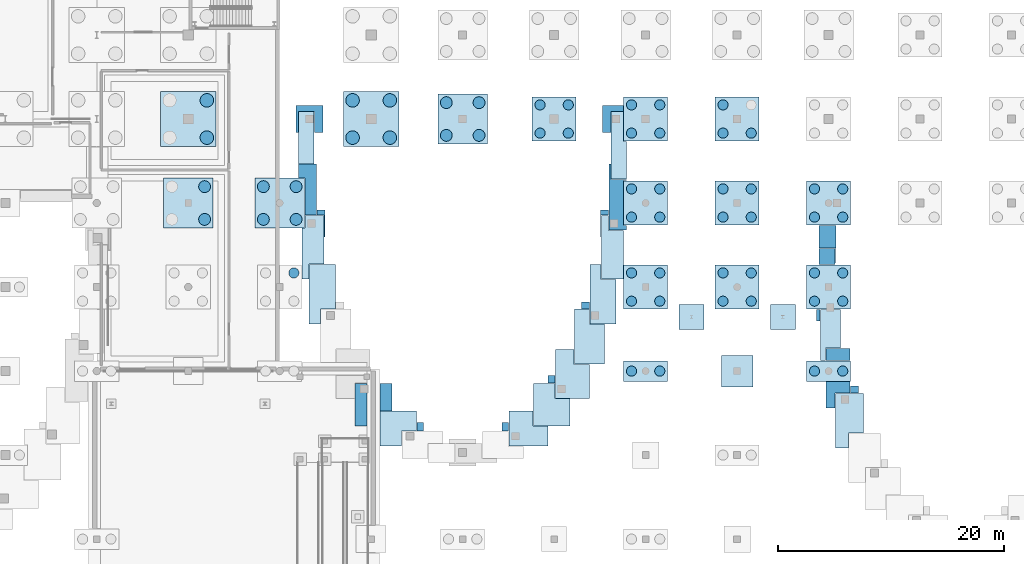
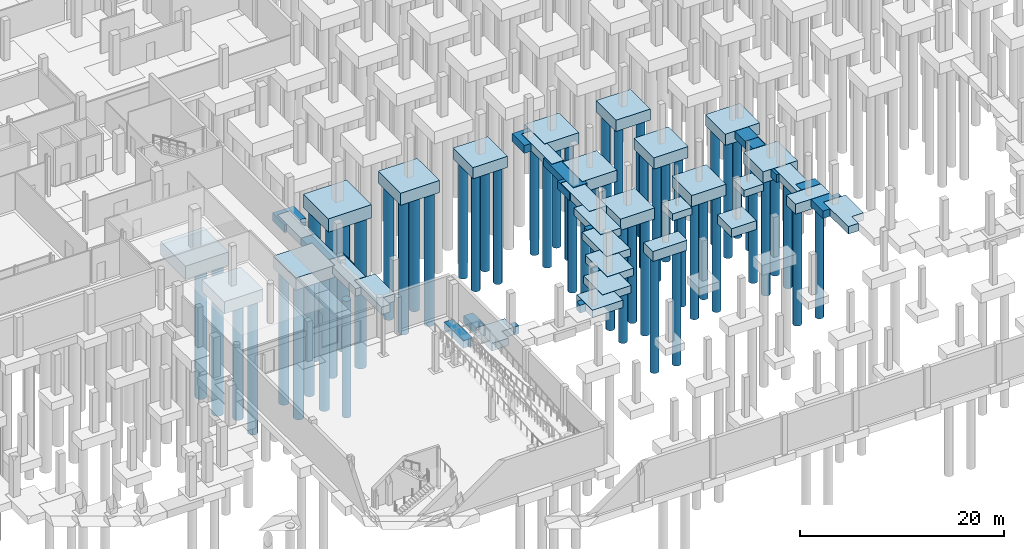
# One storey, part 4 of 37: 56 piles, 50 footings.
"""IFC4 building model written with IfcOpenShell, lengths in metres."""

from ifc_helpers import new_model, si_unit, direction, frame, origin, origin_2d, place, context, subcontext, project, spatial, polyline, rectangle, circle, outline, extrude, material, material_profile, profile_set, type_object, element, save


model = new_model("IFC4")

# Units and contexts
model_context = context("Model", 3, precision=1e-05, world=origin(), true_north=direction((0.0, 1.0)))
body_context = subcontext(model_context, "Body", "Model", "MODEL_VIEW")
ifc_project = project(units=[si_unit("LENGTHUNIT", "METRE"), si_unit("AREAUNIT", "SQUARE_METRE"), si_unit("VOLUMEUNIT", "CUBIC_METRE"), si_unit("PLANEANGLEUNIT", "RADIAN"), si_unit("MASSUNIT", "GRAM", prefix="KILO")], contexts=[model_context])

# Site, building, storey
site_placement = place(None, origin())
site = spatial("IfcSite", under=ifc_project, at=site_placement, CompositionType="ELEMENT")
building_placement = place(site_placement, origin())
building = spatial("IfcBuilding", under=site, at=building_placement, Name="Kaelora Sail Theatre", CompositionType="ELEMENT")
storey_placement = place(building_placement, frame((0.0, 0.0, -4.800048828125)))
storey = spatial("IfcBuildingStorey", under=building, at=storey_placement, Name="B1", CompositionType="ELEMENT", Elevation=-4.800048828125)

# Footings
ifc_material_1 = material(Name="Concrete C40/50", Category="concrete")
footing_type_1 = type_object("IfcFootingType", Name="STR-FTG-PC-2P", PredefinedType="PILE_CAP", material=ifc_material_1)
for number, where, z_axis, x_axis, name in (
    (1, (106.800048828125, 38.699951171875, -1.19970703125), (0.0, 0.0, 1.0), (1.0, 0.0, 0.0), "Foundation 14/F"),
    (2, (123.0, 38.699951171875, -1.19970703125), (0.0, 0.0, 1.0), (1.0, 0.0, 0.0), "Foundation 16/F"),
):
    element("IfcFooting", number, at=place(storey_placement, frame(where, z_axis=z_axis, x_axis=x_axis)), inside=storey, type_object=footing_type_1, Name=name, PredefinedType="PILE_CAP", context=body_context, shape_type="SweptSolid", body=[
        extrude(rectangle(XDim=3.89990234375, YDim=1.800048828125, at=origin_2d()), origin(), (0.0, 0.0, 1.0), 1.199951171875),
    ])
ifc_material_2 = material(Name="Concrete C40/50", Category="concrete")
footing_type_2 = type_object("IfcFootingType", Name="STR-FTG-PC-4A", PredefinedType="PILE_CAP", material=ifc_material_2)
for number, where, z_axis, x_axis, name in (
    (3, (98.699951171875, 61.02001953125, -1.35009765625), (0.0, 0.0, 1.0), (1.0, 0.0, 0.0), "Foundation 13/I"),
    (4, (106.800048828125, 46.139892578125, -1.35009765625), (0.0, 0.0, 1.0), (1.0, 0.0, 0.0), "Foundation 14/G"),
    (5, (106.800048828125, 53.580078125, -1.35009765625), (0.0, 0.0, 1.0), (1.0, 0.0, 0.0), "Foundation 14/H"),
    (6, (106.800048828125, 61.02001953125, -1.35009765625), (0.0, 0.0, 1.0), (1.0, 0.0, 0.0), "Foundation 14/I"),
    (7, (114.89990234375, 46.139892578125, -1.35009765625), (0.0, 0.0, 1.0), (1.0, 0.0, 0.0), "Foundation 15/G"),
    (8, (114.89990234375, 53.580078125, -1.35009765625), (0.0, 0.0, 1.0), (1.0, 0.0, 0.0), "Foundation 15/H"),
    (9, (114.89990234375, 61.02001953125, -1.35009765625), (0.0, 0.0, 1.0), (1.0, 0.0, 0.0), "Foundation 15/I"),
    (10, (123.0, 46.139892578125, -1.35009765625), (0.0, 0.0, 1.0), (1.0, 0.0, 0.0), "Foundation 16/G"),
    (11, (123.0, 53.580078125, -1.35009765625), (0.0, 0.0, 1.0), (1.0, 0.0, 0.0), "Foundation 16/H"),
):
    element("IfcFooting", number, at=place(storey_placement, frame(where, z_axis=z_axis, x_axis=x_axis)), inside=storey, type_object=footing_type_2, Name=name, PredefinedType="PILE_CAP", context=body_context, shape_type="SweptSolid", body=[
        extrude(rectangle(XDim=3.89990234375, YDim=3.89990234375, at=origin_2d()), origin(), (0.0, 0.0, 1.0), 1.35009765625),
    ])
ifc_material_3 = material(Name="Concrete C40/50", Category="concrete")
footing_type_3 = type_object("IfcFootingType", Name="STR-FTG-PC-4B", PredefinedType="PILE_CAP", material=ifc_material_3)
for number, where, z_axis, x_axis, name in (
    (12, (66.300048828125, 53.580078125, -1.44970703125), (0.0, 0.0, 1.0), (1.0, 0.0, 0.0), "Foundation 9/H"),
    (13, (74.39990234375, 53.580078125, -1.44970703125), (0.0, 0.0, 1.0), (1.0, 0.0, 0.0), "Foundation 10/H"),
    (14, (90.60009765625, 61.02001953125, -1.44970703125), (0.0, 0.0, 1.0), (1.0, 0.0, 0.0), "Foundation 12/I"),
):
    element("IfcFooting", number, at=place(storey_placement, frame(where, z_axis=z_axis, x_axis=x_axis)), inside=storey, type_object=footing_type_3, Name=name, PredefinedType="PILE_CAP", context=body_context, shape_type="SweptSolid", body=[
        extrude(rectangle(XDim=4.39990234375, YDim=4.39990234375, at=origin_2d()), origin(), (0.0, 0.0, 1.0), 1.449951171875),
    ])
ifc_material_4 = material(Name="Concrete C40/50", Category="concrete")
footing_type_4 = type_object("IfcFootingType", Name="STR-FTG-PC-4D", PredefinedType="PILE_CAP", material=ifc_material_4)
for number, where, z_axis, x_axis, name in (
    (15, (66.300048828125, 61.02001953125, -1.60009765625), (0.0, 0.0, 1.0), (1.0, 0.0, 0.0), "Foundation 9/I"),
    (16, (82.5, 61.02001953125, -1.60009765625), (0.0, 0.0, 1.0), (1.0, 0.0, 0.0), "Foundation 11/I"),
):
    element("IfcFooting", number, at=place(storey_placement, frame(where, z_axis=z_axis, x_axis=x_axis)), inside=storey, type_object=footing_type_4, Name=name, PredefinedType="PILE_CAP", context=body_context, shape_type="SweptSolid", body=[
        extrude(rectangle(XDim=4.89990234375, YDim=4.89990234375, at=origin_2d()), origin(), (0.0, 0.0, 1.0), 1.60009765625),
    ])
ifc_material_5 = material(Name="Concrete C40/50", Category="concrete")
footing_type_5 = type_object("IfcFootingType", Name="STR-FTG-PF-1A", PredefinedType="PAD_FOOTING", material=ifc_material_5)
for number, where, z_axis, x_axis, name in (
    (17, (110.85009765625, 43.5, -0.85009765625), (0.0, 0.0, 1.0), (1.0, 0.0, 0.0), "Substructure pier footing 03"),
    (18, (118.949951171875, 43.5, -0.85009765625), (0.0, 0.0, 1.0), (1.0, 0.0, 0.0), "Substructure pier footing 04"),
):
    element("IfcFooting", number, at=place(storey_placement, frame(where, z_axis=z_axis, x_axis=x_axis)), inside=storey, type_object=footing_type_5, Name=name, PredefinedType="PAD_FOOTING", context=body_context, shape_type="SweptSolid", body=[
        extrude(rectangle(XDim=2.199951171875, YDim=2.199951171875, at=origin_2d()), origin(), (0.0, 0.0, 1.0), 0.85009765625),
    ])
ifc_material_6 = material(Name="Concrete C40/50", Category="concrete")
footing_type_6 = type_object("IfcFootingType", Name="STR-FTG-PF-1B", PredefinedType="PAD_FOOTING", material=ifc_material_6)
footing_1_placement = place(storey_placement, frame((0.0, 0.0, -0.949951171875)))
element("IfcFooting", 19, at=footing_1_placement, inside=storey, type_object=footing_type_6, Name="Studio Theatre north corner pad NE", PredefinedType="PAD_FOOTING", context=body_context, shape_type="SweptSolid", body=[
    extrude(outline(polyline([(103.719970703125, 61.699951171875), (103.719970703125, 59.820068359375), (102.97998046875, 59.820068359375), (102.97998046875, 62.219970703125), (104.820068359375, 62.219970703125), (104.820068359375, 61.699951171875), (103.719970703125, 61.699951171875)])), origin(), (0.0, 0.0, 1.0), 0.949951171875),
])
footing_2_placement = place(storey_placement, frame((0.0, 0.0, -0.949951171875)))
element("IfcFooting", 20, at=footing_2_placement, inside=storey, type_object=footing_type_6, Name="Studio Theatre north corner pad NW", PredefinedType="PAD_FOOTING", context=body_context, shape_type="SweptSolid", body=[
    extrude(outline(polyline([(78.219970703125, 59.820068359375), (77.47998046875, 59.820068359375), (77.47998046875, 61.699951171875), (76.042724609375, 61.699951171875), (76.042724609375, 59.820068359375), (75.820068359375, 59.820068359375), (75.820068359375, 62.219970703125), (78.219970703125, 62.219970703125), (78.219970703125, 59.820068359375)])), origin(), (0.0, 0.0, 1.0), 0.949951171875),
])
footing_3_placement = place(storey_placement, frame((0.0, 0.0, -0.949951171875)))
element("IfcFooting", 21, at=footing_3_placement, inside=storey, type_object=footing_type_6, Name="Studio Theatre drum pier pad K02", PredefinedType="PAD_FOOTING", context=body_context, shape_type="SweptSolid", body=[
    extrude(outline(polyline([(103.514892578125, 52.964111328125), (103.514892578125, 52.503662109375), (102.863037109375, 52.503662109375), (102.863037109375, 50.564208984375), (102.782958984375, 50.564208984375), (102.782958984375, 52.964111328125), (103.514892578125, 52.964111328125)])), origin(), (0.0, 0.0, 1.0), 0.949951171875),
])
footing_4_placement = place(storey_placement, frame((0.0, 0.0, -0.949951171875)))
element("IfcFooting", 22, at=footing_4_placement, inside=storey, type_object=footing_type_6, Name="Studio Theatre drum pier pad K04", PredefinedType="PAD_FOOTING", context=body_context, shape_type="SweptSolid", body=[
    extrude(outline(polyline([(101.119384765625, 44.8046875), (101.84521484375, 44.8046875), (101.84521484375, 44.20751953125), (101.119384765625, 44.20751953125), (101.119384765625, 44.8046875)])), origin(), (0.0, 0.0, 1.0), 0.949951171875),
])
footing_5_placement = place(storey_placement, frame((0.0, 0.0, -0.949951171875)))
element("IfcFooting", 23, at=footing_5_placement, inside=storey, type_object=footing_type_6, Name="Studio Theatre drum pier pad K06", PredefinedType="PAD_FOOTING", context=body_context, shape_type="SweptSolid", body=[
    extrude(outline(polyline([(98.792236328125, 38.315185546875), (98.792236328125, 37.623779296875), (98.134521484375, 37.623779296875), (98.134521484375, 38.315185546875), (98.792236328125, 38.315185546875)])), origin(), (0.0, 0.0, 1.0), 0.949951171875),
])
footing_6_placement = place(storey_placement, frame((0.0, 0.0, -0.949951171875)))
element("IfcFooting", 24, at=footing_6_placement, inside=storey, type_object=footing_type_6, Name="Studio Theatre drum pier pad K08", PredefinedType="PAD_FOOTING", context=body_context, shape_type="SweptSolid", body=[
    extrude(outline(polyline([(94.65478515625, 33.396484375), (94.069580078125, 33.396484375), (94.069580078125, 34.126708984375), (94.65478515625, 34.126708984375), (94.65478515625, 33.396484375)])), origin(), (0.0, 0.0, 1.0), 0.949951171875),
])
footing_7_placement = place(storey_placement, frame((0.0, 0.0, -0.949951171875)))
element("IfcFooting", 25, at=footing_7_placement, inside=storey, type_object=footing_type_6, Name="Studio Theatre drum pier pad K12", PredefinedType="PAD_FOOTING", context=body_context, shape_type="SweptSolid", body=[
    extrude(outline(polyline([(87.13037109375, 34.126708984375), (87.13037109375, 33.396484375), (86.54541015625, 33.396484375), (86.54541015625, 34.126708984375), (87.13037109375, 34.126708984375)])), origin(), (0.0, 0.0, 1.0), 0.949951171875),
])
footing_8_placement = place(storey_placement, frame((0.0, 0.0, -0.949951171875)))
element("IfcFooting", 26, at=footing_8_placement, inside=storey, type_object=footing_type_6, Name="Studio Theatre drum pier pad K18", PredefinedType="PAD_FOOTING", context=body_context, shape_type="SweptSolid", body=[
    extrude(outline(polyline([(78.4169921875, 52.964111328125), (78.4169921875, 50.564208984375), (78.3369140625, 50.564208984375), (78.3369140625, 52.503662109375), (77.685302734375, 52.503662109375), (77.685302734375, 52.964111328125), (78.4169921875, 52.964111328125)])), origin(), (0.0, 0.0, 1.0), 0.949951171875),
])
footing_9_placement = place(storey_placement, frame((0.0, 0.0, -0.949951171875)))
element("IfcFooting", 27, at=footing_9_placement, inside=storey, type_object=footing_type_6, Name="Black-Box Theatre drum pier pad K16", PredefinedType="PAD_FOOTING", context=body_context, shape_type="SweptSolid", body=[
    extrude(outline(polyline([(125.651123046875, 36.767578125), (124.930419921875, 36.767578125), (124.930419921875, 37.3779296875), (125.651123046875, 37.3779296875), (125.651123046875, 36.767578125)])), origin(), (0.0, 0.0, 1.0), 0.949951171875),
])
footing_10_placement = place(storey_placement, frame((0.0, 0.0, -0.949951171875)))
element("IfcFooting", 28, at=footing_10_placement, inside=storey, type_object=footing_type_6, Name="Black-Box Theatre drum pier pad K18", PredefinedType="PAD_FOOTING", context=body_context, shape_type="SweptSolid", body=[
    extrude(outline(polyline([(121.9453125, 43.125), (121.9453125, 44.159912109375), (122.25341796875, 44.159912109375), (122.25341796875, 43.125), (121.9453125, 43.125)])), origin(), (0.0, 0.0, 1.0), 0.949951171875),
])
ifc_material_7 = material(Name="Concrete C40/50", Category="concrete")
footing_type_7 = type_object("IfcFootingType", Name="STR-FTG-PF-1F", PredefinedType="PAD_FOOTING", material=ifc_material_7)
footing_11_placement = place(storey_placement, frame((114.89990234375, 38.699951171875, -1.0498046875), z_axis=(0.0, 0.0, 1.0), x_axis=(1.0, 0.0, 0.0)))
element("IfcFooting", 29, at=footing_11_placement, inside=storey, type_object=footing_type_7, Name="Foundation 15/F", PredefinedType="PAD_FOOTING", context=body_context, shape_type="SweptSolid", body=[
    extrude(rectangle(XDim=2.800048828125, YDim=2.800048828125, at=origin_2d()), origin(), (0.0, 0.0, 1.0), 1.050048828125),
])
ifc_material_8 = material(Name="Concrete C40/50", Category="concrete")
footing_type_8 = type_object("IfcFootingType", Name="STR-GB-SF-DRM", PredefinedType="STRIP_FOOTING", material=ifc_material_8)
footing_12_placement = place(storey_placement, frame((0.0, 0.0, -0.89990234375)))
element("IfcFooting", 30, at=footing_12_placement, inside=storey, type_object=footing_type_8, Name="Studio Theatre Sail Drum chord strip footing 01", PredefinedType="STRIP_FOOTING", context=body_context, shape_type="SweptSolid", body=[
    extrude(outline(polyline([(105.127197265625, 59.0400390625), (105.127197265625, 55.714599609375), (103.75, 55.714599609375), (103.75, 61.669921875), (104.820068359375, 61.669921875), (104.820068359375, 59.0400390625), (105.127197265625, 59.0400390625)])), origin(), (0.0, 0.0, 1.0), 0.89990234375),
])
footing_13_placement = place(storey_placement, frame((0.0, 0.0, -0.89990234375)))
element("IfcFooting", 31, at=footing_13_placement, inside=storey, type_object=footing_type_8, Name="Studio Theatre Sail Drum chord strip footing 02", PredefinedType="STRIP_FOOTING", context=body_context, shape_type="SweptSolid", body=[
    extrude(outline(polyline([(105.127197265625, 51.173583984375), (103.544921875, 51.173583984375), (103.544921875, 57.014404296875), (103.719970703125, 57.014404296875), (103.719970703125, 55.6845703125), (105.127197265625, 55.6845703125), (105.127197265625, 55.56005859375), (104.820068359375, 55.56005859375), (104.820068359375, 51.60009765625), (105.127197265625, 51.60009765625), (105.127197265625, 51.173583984375)])), origin(), (0.0, 0.0, 1.0), 0.89990234375),
])
footing_14_placement = place(storey_placement, frame((0.0, 0.0, -0.89990234375)))
element("IfcFooting", 32, at=footing_14_placement, inside=storey, type_object=footing_type_8, Name="Studio Theatre Sail Drum chord strip footing 03", PredefinedType="STRIP_FOOTING", context=body_context, shape_type="SweptSolid", body=[
    extrude(outline(polyline([(103.514892578125, 52.4736328125), (103.514892578125, 51.143798828125), (104.8447265625, 51.143798828125), (104.8447265625, 48.1201171875), (104.820068359375, 48.1201171875), (104.820068359375, 46.859130859375), (102.89306640625, 46.859130859375), (102.89306640625, 52.4736328125), (103.514892578125, 52.4736328125)])), origin(), (0.0, 0.0, 1.0), 0.89990234375),
])
footing_15_placement = place(storey_placement, frame((0.0, 0.0, -0.89990234375)))
element("IfcFooting", 33, at=footing_15_placement, inside=storey, type_object=footing_type_8, Name="Studio Theatre Sail Drum chord strip footing 04", PredefinedType="STRIP_FOOTING", context=body_context, shape_type="SweptSolid", body=[
    extrude(outline(polyline([(101.875244140625, 48.1591796875), (102.863037109375, 48.1591796875), (102.863037109375, 46.8291015625), (104.193115234375, 46.8291015625), (104.193115234375, 42.87744140625), (101.875244140625, 42.87744140625), (101.875244140625, 48.1591796875)])), origin(), (0.0, 0.0, 1.0), 0.89990234375),
])
footing_16_placement = place(storey_placement, frame((0.0, 0.0, -0.89990234375)))
element("IfcFooting", 34, at=footing_16_placement, inside=storey, type_object=footing_type_8, Name="Studio Theatre Sail Drum chord strip footing 05", PredefinedType="STRIP_FOOTING", context=body_context, shape_type="SweptSolid", body=[
    extrude(outline(polyline([(101.84521484375, 44.177490234375), (101.84521484375, 42.847412109375), (103.17529296875, 42.847412109375), (103.17529296875, 39.326416015625), (100.508056640625, 39.326416015625), (100.508056640625, 44.177490234375), (101.84521484375, 44.177490234375)])), origin(), (0.0, 0.0, 1.0), 0.89990234375),
])
footing_17_placement = place(storey_placement, frame((0.0, 0.0, -0.89990234375)))
element("IfcFooting", 35, at=footing_17_placement, inside=storey, type_object=footing_type_8, Name="Studio Theatre Sail Drum chord strip footing 06", PredefinedType="STRIP_FOOTING", context=body_context, shape_type="SweptSolid", body=[
    extrude(outline(polyline([(101.80810546875, 36.293701171875), (98.822265625, 36.293701171875), (98.822265625, 40.62646484375), (100.47802734375, 40.62646484375), (100.47802734375, 39.29638671875), (101.80810546875, 39.29638671875), (101.80810546875, 36.293701171875)])), origin(), (0.0, 0.0, 1.0), 0.89990234375),
])
footing_18_placement = place(storey_placement, frame((0.0, 0.0, -0.89990234375)))
element("IfcFooting", 36, at=footing_18_placement, inside=storey, type_object=footing_type_8, Name="Studio Theatre Sail Drum chord strip footing 07", PredefinedType="STRIP_FOOTING", context=body_context, shape_type="SweptSolid", body=[
    extrude(outline(polyline([(96.8623046875, 33.853515625), (96.8623046875, 37.59375), (98.792236328125, 37.59375), (98.792236328125, 36.263671875), (100.122314453125, 36.263671875), (100.122314453125, 33.853515625), (96.8623046875, 33.853515625)])), origin(), (0.0, 0.0, 1.0), 0.89990234375),
])
footing_19_placement = place(storey_placement, frame((0.0, 0.0, -0.89990234375)))
element("IfcFooting", 37, at=footing_19_placement, inside=storey, type_object=footing_type_8, Name="Studio Theatre Sail Drum chord strip footing 08", PredefinedType="STRIP_FOOTING", context=body_context, shape_type="SweptSolid", body=[
    extrude(outline(polyline([(94.684814453125, 35.153564453125), (96.832275390625, 35.153564453125), (96.832275390625, 33.823486328125), (98.162353515625, 33.823486328125), (98.162353515625, 32.066650390625), (94.684814453125, 32.066650390625), (94.684814453125, 35.153564453125)])), origin(), (0.0, 0.0, 1.0), 0.89990234375),
])
footing_20_placement = place(storey_placement, frame((0.0, 0.0, -0.89990234375)))
element("IfcFooting", 38, at=footing_20_placement, inside=storey, type_object=footing_type_8, Name="Studio Theatre Sail Drum chord strip footing 13", PredefinedType="STRIP_FOOTING", context=body_context, shape_type="SweptSolid", body=[
    extrude(outline(polyline([(86.515380859375, 35.153564453125), (86.515380859375, 33.396484375), (85.185302734375, 33.396484375), (85.185302734375, 32.066650390625), (83.280029296875, 32.066650390625), (83.280029296875, 35.153564453125), (86.515380859375, 35.153564453125)])), origin(), (0.0, 0.0, 1.0), 0.89990234375),
])
footing_21_placement = place(storey_placement, frame((0.0, 0.0, -0.89990234375)))
element("IfcFooting", 39, at=footing_21_placement, inside=storey, type_object=footing_type_8, Name="Studio Theatre Sail Drum chord strip footing 14", PredefinedType="STRIP_FOOTING", context=body_context, shape_type="SweptSolid", body=[
    extrude(outline(polyline([(82.1201171875, 33.853515625), (81.07763671875, 33.853515625), (81.07763671875, 37.59375), (82.1201171875, 37.59375), (82.1201171875, 33.853515625)])), origin(), (0.0, 0.0, 1.0), 0.89990234375),
])
footing_22_placement = place(storey_placement, frame((0.0, 0.0, -0.89990234375)))
element("IfcFooting", 40, at=footing_22_placement, inside=storey, type_object=footing_type_8, Name="Studio Theatre Sail Drum chord strip footing 14", PredefinedType="STRIP_FOOTING", context=body_context, shape_type="SweptSolid", body=[
    extrude(outline(polyline([(84.337646484375, 35.18359375), (83.280029296875, 35.18359375), (83.280029296875, 37.59375), (84.337646484375, 37.59375), (84.337646484375, 35.18359375)])), origin(), (0.0, 0.0, 1.0), 0.89990234375),
])
footing_23_placement = place(storey_placement, frame((0.0, 0.0, -0.89990234375)))
element("IfcFooting", 41, at=footing_23_placement, inside=storey, type_object=footing_type_8, Name="Studio Theatre Sail Drum chord strip footing 17", PredefinedType="STRIP_FOOTING", context=body_context, shape_type="SweptSolid", body=[
    extrude(outline(polyline([(77.0068359375, 42.87744140625), (77.0068359375, 48.1591796875), (79.32470703125, 48.1591796875), (79.32470703125, 44.20751953125), (77.99462890625, 44.20751953125), (77.99462890625, 42.87744140625), (77.0068359375, 42.87744140625)])), origin(), (0.0, 0.0, 1.0), 0.89990234375),
])
footing_24_placement = place(storey_placement, frame((0.0, 0.0, -0.89990234375)))
element("IfcFooting", 42, at=footing_24_placement, inside=storey, type_object=footing_type_8, Name="Studio Theatre Sail Drum chord strip footing 18", PredefinedType="STRIP_FOOTING", context=body_context, shape_type="SweptSolid", body=[
    extrude(outline(polyline([(76.6298828125, 52.4736328125), (78.306884765625, 52.4736328125), (78.306884765625, 48.189208984375), (76.976806640625, 48.189208984375), (76.976806640625, 46.859130859375), (76.3798828125, 46.859130859375), (76.3798828125, 48.1201171875), (76.355224609375, 48.1201171875), (76.355224609375, 51.35009765625), (76.6298828125, 51.35009765625), (76.6298828125, 52.4736328125)])), origin(), (0.0, 0.0, 1.0), 0.89990234375),
])
footing_25_placement = place(storey_placement, frame((0.0, 0.0, -0.89990234375)))
element("IfcFooting", 43, at=footing_25_placement, inside=storey, type_object=footing_type_8, Name="Studio Theatre Sail Drum chord strip footing 19", PredefinedType="STRIP_FOOTING", context=body_context, shape_type="SweptSolid", body=[
    extrude(outline(polyline([(77.6552734375, 57.014404296875), (77.6552734375, 52.503662109375), (76.6298828125, 52.503662109375), (76.6298828125, 55.81005859375), (76.07275390625, 55.81005859375), (76.07275390625, 57.014404296875), (77.6552734375, 57.014404296875)])), origin(), (0.0, 0.0, 1.0), 0.89990234375),
])
footing_26_placement = place(storey_placement, frame((0.0, 0.0, -0.89990234375)))
element("IfcFooting", 44, at=footing_26_placement, inside=storey, type_object=footing_type_8, Name="Studio Theatre Sail Drum chord strip footing 20", PredefinedType="STRIP_FOOTING", context=body_context, shape_type="SweptSolid", body=[
    extrude(outline(polyline([(76.07275390625, 61.669921875), (77.449951171875, 61.669921875), (77.449951171875, 57.04443359375), (76.07275390625, 57.04443359375), (76.07275390625, 61.669921875)])), origin(), (0.0, 0.0, 1.0), 0.89990234375),
])
footing_27_placement = place(storey_placement, frame((0.0, 0.0, -0.89990234375)))
element("IfcFooting", 45, at=footing_27_placement, inside=storey, type_object=footing_type_8, Name="Black-Box and Experimental Sail Wing chord strip footing 16", PredefinedType="STRIP_FOOTING", context=body_context, shape_type="SweptSolid", body=[
    extrude(outline(polyline([(126.083740234375, 33.216552734375), (124.753662109375, 33.216552734375), (124.753662109375, 31.886474609375), (123.6005859375, 31.886474609375), (123.6005859375, 36.737548828125), (126.083740234375, 36.737548828125), (126.083740234375, 33.216552734375)])), origin(), (0.0, 0.0, 1.0), 0.89990234375),
])
footing_28_placement = place(storey_placement, frame((0.0, 0.0, -0.89990234375)))
element("IfcFooting", 46, at=footing_28_placement, inside=storey, type_object=footing_type_8, Name="Black-Box and Experimental Sail Wing chord strip footing 17", PredefinedType="STRIP_FOOTING", context=body_context, shape_type="SweptSolid", body=[
    extrude(outline(polyline([(122.76416015625, 35.4375), (122.76416015625, 37.77001953125), (124.900390625, 37.77001953125), (124.900390625, 36.767578125), (123.570556640625, 36.767578125), (123.570556640625, 35.4375), (122.76416015625, 35.4375)])), origin(), (0.0, 0.0, 1.0), 0.89990234375),
])
footing_29_placement = place(storey_placement, frame((0.0, 0.0, -0.89990234375)))
element("IfcFooting", 47, at=footing_29_placement, inside=storey, type_object=footing_type_8, Name="Black-Box and Experimental Sail Wing chord strip footing 17", PredefinedType="STRIP_FOOTING", context=body_context, shape_type="SweptSolid", body=[
    extrude(outline(polyline([(122.76416015625, 40.71923828125), (124.900390625, 40.71923828125), (124.900390625, 39.6298828125), (122.76416015625, 39.6298828125), (122.76416015625, 40.71923828125)])), origin(), (0.0, 0.0, 1.0), 0.89990234375),
])
footing_30_placement = place(storey_placement, frame((0.0, 0.0, -0.89990234375)))
element("IfcFooting", 48, at=footing_30_placement, inside=storey, type_object=footing_type_8, Name="Black-Box and Experimental Sail Wing chord strip footing 18", PredefinedType="STRIP_FOOTING", context=body_context, shape_type="SweptSolid", body=[
    extrude(outline(polyline([(122.283447265625, 39.6298828125), (122.283447265625, 44.159912109375), (124.064208984375, 44.159912109375), (124.064208984375, 40.749267578125), (122.734130859375, 40.749267578125), (122.734130859375, 39.6298828125), (122.283447265625, 39.6298828125)])), origin(), (0.0, 0.0, 1.0), 0.89990234375),
])
footing_31_placement = place(storey_placement, frame((0.0, 0.0, -0.89990234375)))
element("IfcFooting", 49, at=footing_31_placement, inside=storey, type_object=footing_type_8, Name="Black-Box and Experimental Sail Wing chord strip footing 19", PredefinedType="STRIP_FOOTING", context=body_context, shape_type="SweptSolid", body=[
    extrude(outline(polyline([(123.58349609375, 48.1201171875), (122.15185546875, 48.1201171875), (122.15185546875, 49.574462890625), (123.58349609375, 49.574462890625), (123.58349609375, 48.1201171875)])), origin(), (0.0, 0.0, 1.0), 0.89990234375),
])
footing_32_placement = place(storey_placement, frame((0.0, 0.0, -0.89990234375)))
element("IfcFooting", 50, at=footing_32_placement, inside=storey, type_object=footing_type_8, Name="Black-Box and Experimental Sail Wing chord strip footing 20", PredefinedType="STRIP_FOOTING", context=body_context, shape_type="SweptSolid", body=[
    extrude(outline(polyline([(122.15185546875, 51.60009765625), (123.64990234375, 51.60009765625), (123.64990234375, 48.2744140625), (123.61328125, 48.2744140625), (123.61328125, 49.6044921875), (122.15185546875, 49.6044921875), (122.15185546875, 51.60009765625)])), origin(), (0.0, 0.0, 1.0), 0.89990234375),
])

# Piles
ifc_material_9 = material(Name="Concrete C40/50", Category="concrete")
ifc_material_profile_1 = material_profile(ifc_material_9, circle(Radius=0.52490234375, at=origin_2d()), Name="PILE D1050")
ifc_profile_set_1 = profile_set([ifc_material_profile_1], Name="Concrete C40/50")
pile_type_1 = type_object("IfcPileType", Name="STR-PILE-PL-1050", PredefinedType="BORED", material=ifc_profile_set_1)
for number, where, z_axis, x_axis, name in (
    (51, (67.75, 52.1298828125, -1.349853515625), (0.0, 0.0, -1.0), (1.0, 0.0, 0.0), "Bored pile 9/H P2"),
    (52, (67.75, 55.030029296875, -1.349853515625), (0.0, 0.0, -1.0), (1.0, 0.0, 0.0), "Bored pile 9/H P4"),
    (53, (72.949951171875, 52.1298828125, -1.349853515625), (0.0, 0.0, -1.0), (1.0, 0.0, 0.0), "Bored pile 10/H P1"),
    (54, (75.85009765625, 52.1298828125, -1.349853515625), (0.0, 0.0, -1.0), (1.0, 0.0, 0.0), "Bored pile 10/H P2"),
    (55, (72.949951171875, 55.030029296875, -1.349853515625), (0.0, 0.0, -1.0), (1.0, 0.0, 0.0), "Bored pile 10/H P3"),
    (56, (75.85009765625, 55.030029296875, -1.349853515625), (0.0, 0.0, -1.0), (1.0, 0.0, 0.0), "Bored pile 10/H P4"),
    (57, (89.14990234375, 59.570068359375, -1.349853515625), (0.0, 0.0, -1.0), (1.0, 0.0, 0.0), "Bored pile 12/I P1"),
    (58, (92.050048828125, 59.570068359375, -1.349853515625), (0.0, 0.0, -1.0), (1.0, 0.0, 0.0), "Bored pile 12/I P2"),
    (59, (89.14990234375, 62.469970703125, -1.349853515625), (0.0, 0.0, -1.0), (1.0, 0.0, 0.0), "Bored pile 12/I P3"),
    (60, (92.050048828125, 62.469970703125, -1.349853515625), (0.0, 0.0, -1.0), (1.0, 0.0, 0.0), "Bored pile 12/I P4"),
):
    element("IfcPile", number, at=place(storey_placement, frame(where, z_axis=z_axis, x_axis=x_axis)), inside=storey, type_object=pile_type_1, Name=name, PredefinedType="BORED", context=body_context, shape_type="SweptSolid", body=[
        extrude(circle(Radius=0.52490234375, at=origin_2d()), origin(), (0.0, 0.0, 1.0), 16.0),
    ])
ifc_material_10 = material(Name="Concrete C40/50", Category="concrete")
ifc_material_profile_2 = material_profile(ifc_material_10, circle(Radius=0.60009765625, at=origin_2d()), Name="PILE D1200")
ifc_profile_set_2 = profile_set([ifc_material_profile_2], Name="Concrete C40/50")
pile_type_2 = type_object("IfcPileType", Name="STR-PILE-PL-1200", PredefinedType="BORED", material=ifc_profile_set_2)
for number, where, z_axis, x_axis, name in (
    (61, (67.949951171875, 59.3701171875, -1.5), (0.0, 0.0, -1.0), (1.0, 0.0, 0.0), "Bored pile 9/I P2"),
    (62, (67.949951171875, 62.669921875, -1.5), (0.0, 0.0, -1.0), (1.0, 0.0, 0.0), "Bored pile 9/I P4"),
    (63, (80.85009765625, 59.3701171875, -1.5), (0.0, 0.0, -1.0), (1.0, 0.0, 0.0), "Bored pile 11/I P1"),
    (64, (84.14990234375, 59.3701171875, -1.5), (0.0, 0.0, -1.0), (1.0, 0.0, 0.0), "Bored pile 11/I P2"),
    (65, (80.85009765625, 62.669921875, -1.5), (0.0, 0.0, -1.0), (1.0, 0.0, 0.0), "Bored pile 11/I P3"),
    (66, (84.14990234375, 62.669921875, -1.5), (0.0, 0.0, -1.0), (1.0, 0.0, 0.0), "Bored pile 11/I P4"),
):
    element("IfcPile", number, at=place(storey_placement, frame(where, z_axis=z_axis, x_axis=x_axis)), inside=storey, type_object=pile_type_2, Name=name, PredefinedType="BORED", context=body_context, shape_type="SweptSolid", body=[
        extrude(circle(Radius=0.60009765625, at=origin_2d()), origin(), (0.0, 0.0, 1.0), 18.0),
    ])
ifc_material_11 = material(Name="Concrete C40/50", Category="concrete")
ifc_material_profile_3 = material_profile(ifc_material_11, circle(Radius=0.449951171875, at=origin_2d()), Name="PILE D900")
ifc_profile_set_3 = profile_set([ifc_material_profile_3], Name="Concrete C40/50")
pile_type_3 = type_object("IfcPileType", Name="STR-PILE-PL-900", PredefinedType="BORED", material=ifc_profile_set_3)
for number, where, z_axis, x_axis, name in (
    (67, (75.64990234375, 47.389892578125, -1.25), (0.0, 0.0, -1.0), (1.0, 0.0, 0.0), "Bored pile 10/G P4"),
    (68, (97.449951171875, 59.77001953125, -1.25), (0.0, 0.0, -1.0), (1.0, 0.0, 0.0), "Bored pile 13/I P1"),
    (69, (99.949951171875, 59.77001953125, -1.25), (0.0, 0.0, -1.0), (1.0, 0.0, 0.0), "Bored pile 13/I P2"),
    (70, (97.449951171875, 62.27001953125, -1.25), (0.0, 0.0, -1.0), (1.0, 0.0, 0.0), "Bored pile 13/I P3"),
    (71, (99.949951171875, 62.27001953125, -1.25), (0.0, 0.0, -1.0), (1.0, 0.0, 0.0), "Bored pile 13/I P4"),
    (72, (105.550048828125, 38.699951171875, -1.099853515625), (0.0, 0.0, -1.0), (1.0, 0.0, 0.0), "Bored pile 14/F P1"),
    (73, (108.050048828125, 38.699951171875, -1.099853515625), (0.0, 0.0, -1.0), (1.0, 0.0, 0.0), "Bored pile 14/F P2"),
    (74, (105.550048828125, 44.889892578125, -1.25), (0.0, 0.0, -1.0), (1.0, 0.0, 0.0), "Bored pile 14/G P1"),
    (75, (108.050048828125, 44.889892578125, -1.25), (0.0, 0.0, -1.0), (1.0, 0.0, 0.0), "Bored pile 14/G P2"),
    (76, (105.550048828125, 47.389892578125, -1.25), (0.0, 0.0, -1.0), (1.0, 0.0, 0.0), "Bored pile 14/G P3"),
    (77, (108.050048828125, 47.389892578125, -1.25), (0.0, 0.0, -1.0), (1.0, 0.0, 0.0), "Bored pile 14/G P4"),
    (78, (105.550048828125, 52.330078125, -1.25), (0.0, 0.0, -1.0), (1.0, 0.0, 0.0), "Bored pile 14/H P1"),
    (79, (108.050048828125, 52.330078125, -1.25), (0.0, 0.0, -1.0), (1.0, 0.0, 0.0), "Bored pile 14/H P2"),
    (80, (105.550048828125, 54.830078125, -1.25), (0.0, 0.0, -1.0), (1.0, 0.0, 0.0), "Bored pile 14/H P3"),
    (81, (108.050048828125, 54.830078125, -1.25), (0.0, 0.0, -1.0), (1.0, 0.0, 0.0), "Bored pile 14/H P4"),
    (82, (105.550048828125, 59.77001953125, -1.25), (0.0, 0.0, -1.0), (1.0, 0.0, 0.0), "Bored pile 14/I P1"),
    (83, (108.050048828125, 59.77001953125, -1.25), (0.0, 0.0, -1.0), (1.0, 0.0, 0.0), "Bored pile 14/I P2"),
    (84, (105.550048828125, 62.27001953125, -1.25), (0.0, 0.0, -1.0), (1.0, 0.0, 0.0), "Bored pile 14/I P3"),
    (85, (108.050048828125, 62.27001953125, -1.25), (0.0, 0.0, -1.0), (1.0, 0.0, 0.0), "Bored pile 14/I P4"),
    (86, (113.64990234375, 44.889892578125, -1.25), (0.0, 0.0, -1.0), (1.0, 0.0, 0.0), "Bored pile 15/G P1"),
    (87, (116.14990234375, 44.889892578125, -1.25), (0.0, 0.0, -1.0), (1.0, 0.0, 0.0), "Bored pile 15/G P2"),
    (88, (113.64990234375, 47.389892578125, -1.25), (0.0, 0.0, -1.0), (1.0, 0.0, 0.0), "Bored pile 15/G P3"),
    (89, (116.14990234375, 47.389892578125, -1.25), (0.0, 0.0, -1.0), (1.0, 0.0, 0.0), "Bored pile 15/G P4"),
    (90, (113.64990234375, 52.330078125, -1.25), (0.0, 0.0, -1.0), (1.0, 0.0, 0.0), "Bored pile 15/H P1"),
    (91, (116.14990234375, 52.330078125, -1.25), (0.0, 0.0, -1.0), (1.0, 0.0, 0.0), "Bored pile 15/H P2"),
    (92, (113.64990234375, 54.830078125, -1.25), (0.0, 0.0, -1.0), (1.0, 0.0, 0.0), "Bored pile 15/H P3"),
    (93, (116.14990234375, 54.830078125, -1.25), (0.0, 0.0, -1.0), (1.0, 0.0, 0.0), "Bored pile 15/H P4"),
    (94, (113.64990234375, 59.77001953125, -1.25), (0.0, 0.0, -1.0), (1.0, 0.0, 0.0), "Bored pile 15/I P1"),
    (95, (116.14990234375, 59.77001953125, -1.25), (0.0, 0.0, -1.0), (1.0, 0.0, 0.0), "Bored pile 15/I P2"),
    (96, (113.64990234375, 62.27001953125, -1.25), (0.0, 0.0, -1.0), (1.0, 0.0, 0.0), "Bored pile 15/I P3"),
    (97, (121.75, 38.699951171875, -1.099853515625), (0.0, 0.0, -1.0), (1.0, 0.0, 0.0), "Bored pile 16/F P1"),
    (98, (124.25, 38.699951171875, -1.099853515625), (0.0, 0.0, -1.0), (1.0, 0.0, 0.0), "Bored pile 16/F P2"),
    (99, (121.75, 44.889892578125, -1.25), (0.0, 0.0, -1.0), (1.0, 0.0, 0.0), "Bored pile 16/G P1"),
    (100, (124.25, 44.889892578125, -1.25), (0.0, 0.0, -1.0), (1.0, 0.0, 0.0), "Bored pile 16/G P2"),
    (101, (121.75, 47.389892578125, -1.25), (0.0, 0.0, -1.0), (1.0, 0.0, 0.0), "Bored pile 16/G P3"),
    (102, (124.25, 47.389892578125, -1.25), (0.0, 0.0, -1.0), (1.0, 0.0, 0.0), "Bored pile 16/G P4"),
    (103, (121.75, 52.330078125, -1.25), (0.0, 0.0, -1.0), (1.0, 0.0, 0.0), "Bored pile 16/H P1"),
    (104, (124.25, 52.330078125, -1.25), (0.0, 0.0, -1.0), (1.0, 0.0, 0.0), "Bored pile 16/H P2"),
    (105, (121.75, 54.830078125, -1.25), (0.0, 0.0, -1.0), (1.0, 0.0, 0.0), "Bored pile 16/H P3"),
    (106, (124.25, 54.830078125, -1.25), (0.0, 0.0, -1.0), (1.0, 0.0, 0.0), "Bored pile 16/H P4"),
):
    element("IfcPile", number, at=place(storey_placement, frame(where, z_axis=z_axis, x_axis=x_axis)), inside=storey, type_object=pile_type_3, Name=name, PredefinedType="BORED", context=body_context, shape_type="SweptSolid", body=[
        extrude(circle(Radius=0.449951171875, at=origin_2d()), origin(), (0.0, 0.0, 1.0), 14.0),
    ])

save(model, "model.ifc")
